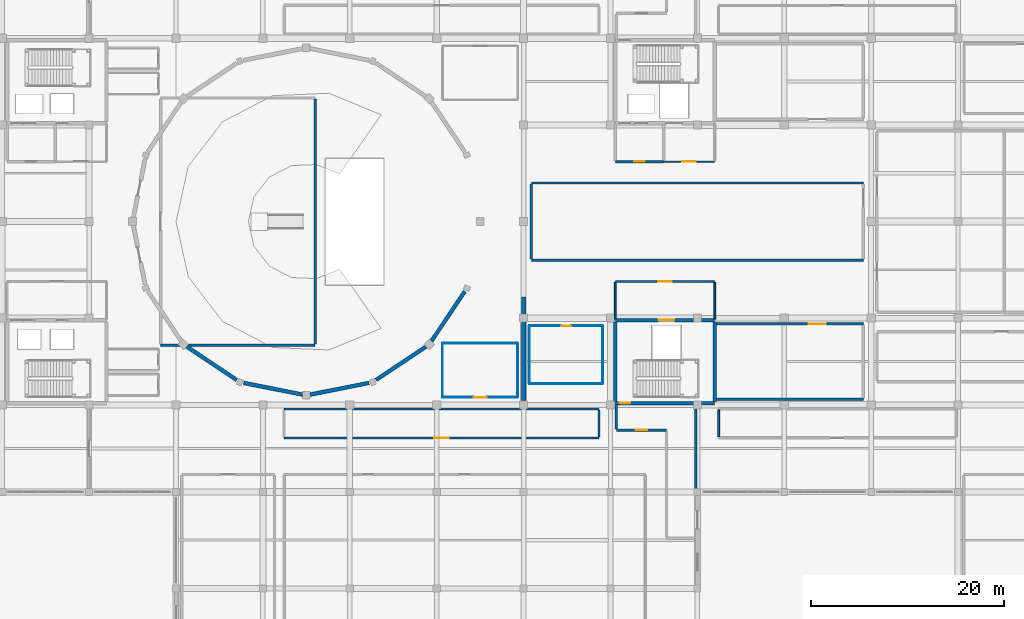
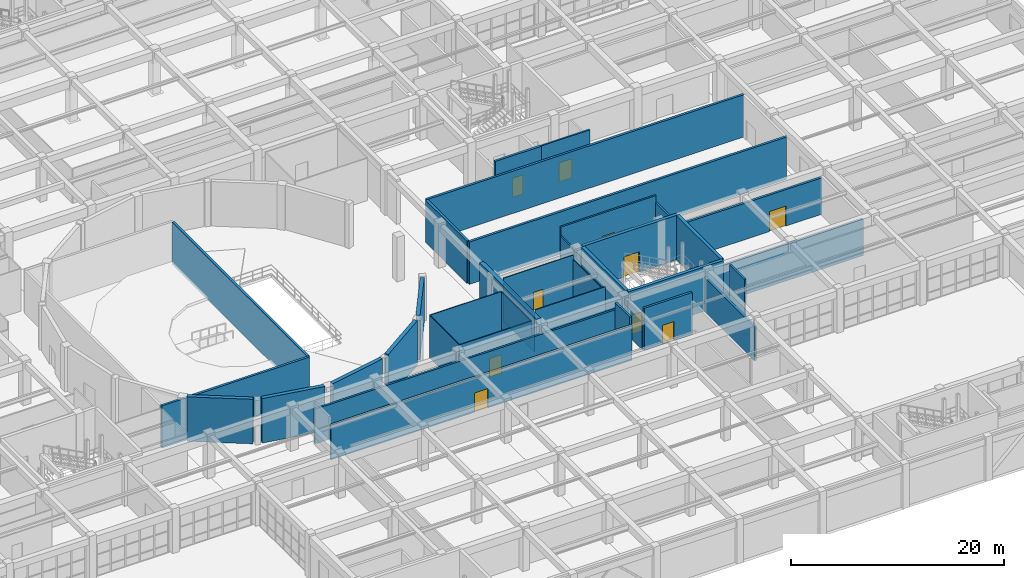
# One storey, part 105 of 128: 37 walls, 10 doors, 10 openings.
"""IFC4 building model written with IfcOpenShell, lengths in metres."""

from ifc_helpers import new_model, si_unit, direction, frame, frame_2d, origin, place, context, subcontext, project, spatial, rectangle, extrude, material, layer, layer_set, type_object, element, fill, save


model = new_model("IFC4")

# Units and contexts
model_context = context("Model", 3, precision=1e-05, world=origin(), true_north=direction((0.0, 1.0)))
body_context = subcontext(model_context, "Body", "Model", "MODEL_VIEW")
ifc_project = project(units=[si_unit("LENGTHUNIT", "METRE"), si_unit("AREAUNIT", "SQUARE_METRE"), si_unit("VOLUMEUNIT", "CUBIC_METRE"), si_unit("PLANEANGLEUNIT", "RADIAN"), si_unit("MASSUNIT", "GRAM", prefix="KILO")], contexts=[model_context])

# Site, building, storey
site_placement = place(None, origin())
site = spatial("IfcSite", under=ifc_project, at=site_placement, CompositionType="ELEMENT")
building_placement = place(site_placement, origin())
building = spatial("IfcBuilding", under=site, at=building_placement, Name="Miravela Opera House", CompositionType="ELEMENT")
storey_placement = place(building_placement, origin())
storey = spatial("IfcBuildingStorey", under=building, at=storey_placement, Name="L00", CompositionType="ELEMENT", Elevation=0.0)

# Wall
ifc_material_1 = material(Name="Acoustic metal-stud gypsum partition")
ifc_layer_1 = layer(ifc_material_1, 0.090087890625)
ifc_layer_set_1 = layer_set([ifc_layer_1])
wall_type_1 = type_object("IfcWallType", Name="ARC-PT-090", PredefinedType="PARTITIONING", material=ifc_layer_set_1)
wall_1_placement = place(storey_placement, frame((99.60009765625, 39.199951171875, 0.0), z_axis=(0.0, 0.0, 1.0), x_axis=(1.0, 0.0, 0.0)))
element("IfcWall", 1, at=wall_1_placement, inside=storey, type_object=wall_type_1, Name="Principal Quick-Change Dressing Suite 1 Partition South", PredefinedType="PARTITIONING", context=body_context, shape_type="SweptSolid", body=[
    extrude(rectangle(XDim=7.599853515625, YDim=0.090087890625, at=frame_2d((3.7998046875, 0.0))), origin(), (0.0, 0.0, 1.0), 4.85009765625),
])

# Wall, opening, door
wall_2_placement = place(storey_placement, frame((99.60009765625, 45.199951171875, 0.0), z_axis=(0.0, 0.0, 1.0), x_axis=(1.0, 0.0, 0.0)))
wall_2 = element("IfcWall", 2, at=wall_2_placement, inside=storey, type_object=wall_type_1, Name="Principal Quick-Change Dressing Suite 1 Partition North", PredefinedType="PARTITIONING", context=body_context, shape_type="SweptSolid", body=[
    extrude(rectangle(XDim=7.599853515625, YDim=0.090087890625, at=frame_2d((3.7998046875, 0.0))), origin(), (0.0, 0.0, 1.0), 4.85009765625),
])
opening_1_placement = place(wall_2_placement, frame((3.280029296875, 0.0, 0.0)))
opening_1 = element("IfcOpeningElement", 3, at=opening_1_placement, cuts=wall_2, Name="Opening ID-16", PredefinedType="OPENING", context=body_context, shape_type="SweptSolid", body=[
    extrude(rectangle(XDim=1.0400390625, YDim=2.080078125, at=frame_2d((0.52001953125, 1.0400390625))), frame((0.0, 0.054931640625, 0.0), z_axis=(0.0, -1.0, 0.0), x_axis=(1.0, 0.0, 0.0)), (0.0, 0.0, 1.0), 0.110107421875),
])
ifc_material_2 = material(Name="Hardwood acoustic timber door leaf", Category="wood")
door_type_1 = type_object("IfcDoorType", Name="ARC-IDR-104X208", OperationType="NOTDEFINED", PredefinedType="DOOR", material=ifc_material_2)
door_1_placement = place(opening_1_placement, frame((1.0400390625, 0.0, 0.0), z_axis=(0.0, 0.0, 1.0), x_axis=(-1.0, 0.0, 0.0)))
door_1 = element("IfcDoor", 4, at=door_1_placement, inside=storey, type_object=door_type_1, Name="Principal Quick-Change Dressing Suite 1 Entry Door IDR-L00-0115", OperationType="SINGLE_SWING_RIGHT", OverallHeight=2.080078125, OverallWidth=1.0400390625, PredefinedType="DOOR", context=body_context, shape_type="SweptSolid", body=[
    extrude(rectangle(XDim=1.0400390625, YDim=2.080078125, at=frame_2d((0.52001953125, 1.0400390625))), frame((0.0, 0.02490234375, 0.0), z_axis=(0.0, -1.0, 0.0), x_axis=(1.0, 0.0, 0.0)), (0.0, 0.0, 1.0), 0.050048828125),
])
fill(opening_1, door_1)

# Walls
for number, where, z_axis, x_axis, name in (
    (5, (99.60009765625, 39.2451171875, 0.0), (0.0, 0.0, 1.0), (0.0, 1.0, 0.0), "Principal Quick-Change Dressing Suite 1 Partition West"),
    (6, (107.199951171875, 39.2451171875, 0.0), (0.0, 0.0, 1.0), (0.0, 1.0, 0.0), "Principal Quick-Change Dressing Suite 1 Partition East"),
):
    element("IfcWall", number, at=place(storey_placement, frame(where, z_axis=z_axis, x_axis=x_axis)), inside=storey, type_object=wall_type_1, Name=name, PredefinedType="PARTITIONING", context=body_context, shape_type="SweptSolid", body=[
        extrude(rectangle(XDim=5.909912109375, YDim=0.090087890625, at=frame_2d((2.955078125, 0.0))), origin(), (0.0, 0.0, 1.0), 4.3701171875),
    ])

# Wall, opening, door
wall_3_placement = place(storey_placement, frame((90.60009765625, 37.800048828125, 0.0), z_axis=(0.0, 0.0, 1.0), x_axis=(1.0, 0.0, 0.0)))
wall_3 = element("IfcWall", 7, at=wall_3_placement, inside=storey, type_object=wall_type_1, Name="Vocal Chamber Rehearsal Room Partition South", PredefinedType="PARTITIONING", context=body_context, shape_type="SweptSolid", body=[
    extrude(rectangle(XDim=7.7998046875, YDim=0.090087890625, at=frame_2d((3.89990234375, 0.0))), origin(), (0.0, 0.0, 1.0), 4.85009765625),
])
opening_2_placement = place(wall_3_placement, frame((3.239990234375, 0.0, 0.0)))
opening_2 = element("IfcOpeningElement", 8, at=opening_2_placement, cuts=wall_3, Name="Opening ID-32", PredefinedType="OPENING", context=body_context, shape_type="SweptSolid", body=[
    extrude(rectangle(XDim=1.320068359375, YDim=2.139892578125, at=frame_2d((0.66015625, 1.06982421875))), frame((0.0, 0.054931640625, 0.0), z_axis=(0.0, -1.0, 0.0), x_axis=(1.0, 0.0, 0.0)), (0.0, 0.0, 1.0), 0.110107421875),
])
door_type_2 = type_object("IfcDoorType", Name="ARC-IDR-132X214", OperationType="NOTDEFINED", PredefinedType="DOOR", material=ifc_material_2)
door_2_placement = place(opening_2_placement, origin())
door_2 = element("IfcDoor", 9, at=door_2_placement, inside=storey, type_object=door_type_2, Name="Vocal Chamber Rehearsal Room Entry Door IDR-L00-0135", OperationType="SINGLE_SWING_RIGHT", OverallHeight=2.139892578125, OverallWidth=1.320068359375, PredefinedType="DOOR", context=body_context, shape_type="SweptSolid", body=[
    extrude(rectangle(XDim=1.320068359375, YDim=2.139892578125, at=frame_2d((0.66015625, 1.06982421875))), frame((0.0, 0.02490234375, 0.0), z_axis=(0.0, -1.0, 0.0), x_axis=(1.0, 0.0, 0.0)), (0.0, 0.0, 1.0), 0.050048828125),
])
fill(opening_2, door_2)

# Walls
wall_4_placement = place(storey_placement, frame((90.60009765625, 43.39990234375, 0.0), z_axis=(0.0, 0.0, 1.0), x_axis=(1.0, 0.0, 0.0)))
element("IfcWall", 10, at=wall_4_placement, inside=storey, type_object=wall_type_1, Name="Vocal Chamber Rehearsal Room Partition North", PredefinedType="PARTITIONING", context=body_context, shape_type="SweptSolid", body=[
    extrude(rectangle(XDim=7.7998046875, YDim=0.090087890625, at=frame_2d((3.89990234375, 0.0))), origin(), (0.0, 0.0, 1.0), 4.85009765625),
])
for number, where, z_axis, x_axis, name in (
    (11, (90.60009765625, 37.844970703125, 0.0), (0.0, 0.0, 1.0), (0.0, 1.0, 0.0), "Vocal Chamber Rehearsal Room Partition West"),
    (12, (98.39990234375, 37.844970703125, 0.0), (0.0, 0.0, 1.0), (0.0, 1.0, 0.0), "Vocal Chamber Rehearsal Room Partition East"),
):
    element("IfcWall", number, at=place(storey_placement, frame(where, z_axis=z_axis, x_axis=x_axis)), inside=storey, type_object=wall_type_1, Name=name, PredefinedType="PARTITIONING", context=body_context, shape_type="SweptSolid", body=[
        extrude(rectangle(XDim=5.510009765625, YDim=0.090087890625, at=frame_2d((2.7548828125, 0.0))), origin(), (0.0, 0.0, 1.0), 4.85009765625),
    ])

# Wall, opening, door
ifc_material_3 = material(Name="Rehearsal isolated acoustic partition")
ifc_layer_2 = layer(ifc_material_3, 0.169921875)
ifc_layer_set_2 = layer_set([ifc_layer_2])
wall_type_2 = type_object("IfcWallType", Name="ARC-PT-170", PredefinedType="PARTITIONING", material=ifc_layer_set_2)
wall_5_placement = place(storey_placement, frame((113.5, 62.199951171875, 0.0), z_axis=(0.0, 0.0, 1.0), x_axis=(1.0, 0.0, 0.0)))
wall_5 = element("IfcWall", 13, at=wall_5_placement, inside=storey, type_object=wall_type_2, Name="Passenger Lift Lobby K3 L00 Partition South", PredefinedType="PARTITIONING", context=body_context, shape_type="SweptSolid", body=[
    extrude(rectangle(XDim=5.300048828125, YDim=0.169921875, at=frame_2d((2.64990234375, 0.0))), origin(), (0.0, 0.0, 1.0), 4.85009765625),
])
opening_3_placement = place(wall_5_placement, frame((1.949951171875, 0.0, 0.0)))
opening_3 = element("IfcOpeningElement", 14, at=opening_3_placement, cuts=wall_5, Name="Opening FD-03", PredefinedType="OPENING", context=body_context, shape_type="SweptSolid", body=[
    extrude(rectangle(XDim=1.39990234375, YDim=2.199951171875, at=frame_2d((0.699951171875, 1.10009765625))), frame((0.0, 0.094970703125, 0.0), z_axis=(0.0, -1.0, 0.0), x_axis=(1.0, 0.0, 0.0)), (0.0, 0.0, 1.0), 0.18994140625),
])
ifc_material_4 = material(Name="Fire-rated lobby/archive double door")
door_type_3 = type_object("IfcDoorType", Name="ARC-FD-1400X2200", OperationType="NOTDEFINED", PredefinedType="DOOR", material=ifc_material_4)
door_3_placement = place(opening_3_placement, frame((1.39990234375, 0.0, 0.0), z_axis=(0.0, 0.0, 1.0), x_axis=(-1.0, 0.0, 0.0)))
door_3 = element("IfcDoor", 15, at=door_3_placement, inside=storey, type_object=door_type_3, Name="Passenger Lift Lobby K3 L00 Entry Door IDR-L00-0090", OperationType="DOUBLE_DOOR_SINGLE_SWING", OverallHeight=2.199951171875, OverallWidth=1.39990234375, PredefinedType="DOOR", context=body_context, shape_type="SweptSolid", body=[
    extrude(rectangle(XDim=1.39990234375, YDim=2.199951171875, at=frame_2d((0.699951171875, 1.10009765625))), frame((0.0, 0.02490234375, 0.0), z_axis=(0.0, -1.0, 0.0), x_axis=(1.0, 0.0, 0.0)), (0.0, 0.0, 1.0), 0.050048828125),
])
fill(opening_3, door_3)

ifc_material_5 = material(Name="Corridor fire-resisting masonry partition", Category="masonry")
ifc_layer_3 = layer(ifc_material_5, 0.18994140625)
ifc_layer_set_3 = layer_set([ifc_layer_3])
wall_type_3 = type_object("IfcWallType", Name="ARC-PT-190", PredefinedType="PARTITIONING", material=ifc_layer_set_3)
wall_6_placement = place(storey_placement, frame((108.5, 49.800048828125, 0.0), z_axis=(0.0, 0.0, 1.0), x_axis=(1.0, 0.0, 0.0)))
wall_6 = element("IfcWall", 16, at=wall_6_placement, inside=storey, type_object=wall_type_3, Name="Passenger Lift Lobby K4 L00 Partition North", PredefinedType="PARTITIONING", context=body_context, shape_type="SweptSolid", body=[
    extrude(rectangle(XDim=10.300048828125, YDim=0.18994140625, at=frame_2d((5.14990234375, 0.0))), origin(), (0.0, 0.0, 1.0), 4.85009765625),
])
opening_4_placement = place(wall_6_placement, frame((4.449951171875, 0.0, 0.0)))
opening_4 = element("IfcOpeningElement", 17, at=opening_4_placement, cuts=wall_6, Name="Opening FD-03", PredefinedType="OPENING", context=body_context, shape_type="SweptSolid", body=[
    extrude(rectangle(XDim=1.39990234375, YDim=2.199951171875, at=frame_2d((0.699951171875, 1.10009765625))), frame((0.0, 0.10498046875, 0.0), z_axis=(0.0, -1.0, 0.0), x_axis=(1.0, 0.0, 0.0)), (0.0, 0.0, 1.0), 0.2099609375),
])
door_4_placement = place(opening_4_placement, origin())
door_4 = element("IfcDoor", 18, at=door_4_placement, inside=storey, type_object=door_type_3, Name="Passenger Lift Lobby K4 L00 Entry Door IDR-L00-0091", OperationType="DOUBLE_DOOR_SINGLE_SWING", OverallHeight=2.199951171875, OverallWidth=1.39990234375, PredefinedType="DOOR", context=body_context, shape_type="SweptSolid", body=[
    extrude(rectangle(XDim=1.39990234375, YDim=2.199951171875, at=frame_2d((0.699951171875, 1.10009765625))), frame((0.0, 0.02490234375, 0.0), z_axis=(0.0, -1.0, 0.0), x_axis=(1.0, 0.0, 0.0)), (0.0, 0.0, 1.0), 0.050048828125),
])
fill(opening_4, door_4)

# Walls
wall_7_placement = place(storey_placement, frame((108.5, 45.89501953125, 0.0), z_axis=(0.0, 0.0, 1.0), x_axis=(0.0, 1.0, 0.0)))
element("IfcWall", 19, at=wall_7_placement, inside=storey, type_object=wall_type_3, Name="Passenger Lift Lobby K4 L00 Partition West", PredefinedType="PARTITIONING", context=body_context, shape_type="SweptSolid", body=[
    extrude(rectangle(XDim=3.81005859375, YDim=0.18994140625, at=frame_2d((1.905029296875, 0.0))), origin(), (0.0, 0.0, 1.0), 3.830078125),
])
wall_8_placement = place(storey_placement, frame((118.800048828125, 45.89501953125, 0.0), z_axis=(0.0, 0.0, 1.0), x_axis=(0.0, 1.0, 0.0)))
element("IfcWall", 20, at=wall_8_placement, inside=storey, type_object=wall_type_3, Name="Passenger Lift Lobby K4 L00 Partition East", PredefinedType="PARTITIONING", context=body_context, shape_type="SweptSolid", body=[
    extrude(rectangle(XDim=3.81005859375, YDim=0.18994140625, at=frame_2d((1.905029296875, 0.0))), origin(), (0.0, 0.0, 1.0), 4.080078125),
])
wall_9_placement = place(storey_placement, frame((119.199951171875, 33.695068359375, 0.0), z_axis=(0.0, 0.0, 1.0), x_axis=(0.0, 1.0, 0.0)))
element("IfcWall", 21, at=wall_9_placement, inside=storey, type_object=wall_type_3, Name="Stage Carpentry Assembly Annex Partition West", PredefinedType="PARTITIONING", context=body_context, shape_type="SweptSolid", body=[
    extrude(rectangle(XDim=2.809814453125, YDim=0.18994140625, at=frame_2d((1.40478515625, 0.0))), origin(), (0.0, 0.0, 1.0), 4.85009765625),
])

# Wall, opening, door
ifc_material_6 = material(Name="Workshop fire-resisting block partition")
ifc_layer_4 = layer(ifc_material_6, 0.2099609375)
ifc_layer_set_4 = layer_set([ifc_layer_4])
wall_type_4 = type_object("IfcWallType", Name="ARC-PT-210", PredefinedType="PARTITIONING", material=ifc_layer_set_4)
wall_10_placement = place(storey_placement, frame((74.199951171875, 33.60009765625, 0.0), z_axis=(0.0, 0.0, 1.0), x_axis=(1.0, 0.0, 0.0)))
wall_10 = element("IfcWall", 22, at=wall_10_placement, inside=storey, type_object=wall_type_4, Name="Stage Lighting Instrument Maintenance Room Partition South", PredefinedType="PARTITIONING", context=body_context, shape_type="SweptSolid", body=[
    extrude(rectangle(XDim=32.60009765625, YDim=0.2099609375, at=frame_2d((16.300048828125, 0.0))), origin(), (0.0, 0.0, 1.0), 3.97998046875),
])
opening_5_placement = place(wall_10_placement, frame((15.570068359375, 0.0, 0.0)))
opening_5 = element("IfcOpeningElement", 23, at=opening_5_placement, cuts=wall_10, Name="Opening ID-39", PredefinedType="OPENING", context=body_context, shape_type="SweptSolid", body=[
    extrude(rectangle(XDim=1.4599609375, YDim=2.219970703125, at=frame_2d((0.72998046875, 1.10986328125))), frame((0.0, 0.114990234375, 0.0), z_axis=(0.0, -1.0, 0.0), x_axis=(1.0, 0.0, 0.0)), (0.0, 0.0, 1.0), 0.22998046875),
])
door_type_4 = type_object("IfcDoorType", Name="ARC-IDR-146X222", OperationType="NOTDEFINED", PredefinedType="DOOR", material=ifc_material_2)
door_5_placement = place(opening_5_placement, frame((1.4599609375, 0.0, 0.0), z_axis=(0.0, 0.0, 1.0), x_axis=(-1.0, 0.0, 0.0)))
door_5 = element("IfcDoor", 24, at=door_5_placement, inside=storey, type_object=door_type_4, Name="Stage Lighting Instrument Maintenance Room Entry Door IDR-L00-0142", OperationType="DOUBLE_DOOR_SINGLE_SWING", OverallHeight=2.219970703125, OverallWidth=1.4599609375, PredefinedType="DOOR", context=body_context, shape_type="SweptSolid", body=[
    extrude(rectangle(XDim=1.4599609375, YDim=2.219970703125, at=frame_2d((0.72998046875, 1.10986328125))), frame((0.0, 0.02490234375, 0.0), z_axis=(0.0, -1.0, 0.0), x_axis=(1.0, 0.0, 0.0)), (0.0, 0.0, 1.0), 0.050048828125),
])
fill(opening_5, door_5)

# Walls
wall_11_placement = place(storey_placement, frame((74.199951171875, 36.60009765625, 0.0), z_axis=(0.0, 0.0, 1.0), x_axis=(1.0, 0.0, 0.0)))
element("IfcWall", 25, at=wall_11_placement, inside=storey, type_object=wall_type_4, Name="Stage Lighting Instrument Maintenance Room Partition North", PredefinedType="PARTITIONING", context=body_context, shape_type="SweptSolid", body=[
    extrude(rectangle(XDim=32.60009765625, YDim=0.2099609375, at=frame_2d((16.300048828125, 0.0))), origin(), (0.0, 0.0, 1.0), 3.97998046875),
])
wall_12_placement = place(storey_placement, frame((106.800048828125, 33.705078125, 0.0), z_axis=(0.0, 0.0, 1.0), x_axis=(0.0, 1.0, 0.0)))
element("IfcWall", 26, at=wall_12_placement, inside=storey, type_object=wall_type_4, Name="Stage Lighting Instrument Maintenance Room Partition East", PredefinedType="PARTITIONING", context=body_context, shape_type="SweptSolid", body=[
    extrude(rectangle(XDim=2.7900390625, YDim=0.2099609375, at=frame_2d((1.39501953125, 0.0))), origin(), (0.0, 0.0, 1.0), 4.85009765625),
])

# Wall, opening, door
ifc_material_7 = material(Name="Firefighting lobby compartment wall")
ifc_layer_5 = layer(ifc_material_7, 0.25)
ifc_layer_set_5 = layer_set([ifc_layer_5])
wall_type_5 = type_object("IfcWallType", Name="ARC-PT-220", PredefinedType="PARTITIONING", material=ifc_layer_set_5)
wall_13_placement = place(storey_placement, frame((108.5, 62.199951171875, 0.0), z_axis=(0.0, 0.0, 1.0), x_axis=(1.0, 0.0, 0.0)))
wall_13 = element("IfcWall", 27, at=wall_13_placement, inside=storey, type_object=wall_type_5, Name="Firefighting Lobby K3 L00 Partition South", PredefinedType="PARTITIONING", context=body_context, shape_type="SweptSolid", body=[
    extrude(rectangle(XDim=5.0, YDim=0.25, at=frame_2d((2.5, 0.0))), origin(), (0.0, 0.0, 1.0), 4.85009765625),
])
opening_6_placement = place(wall_13_placement, frame((1.949951171875, 0.0, 0.0)))
opening_6 = element("IfcOpeningElement", 28, at=opening_6_placement, cuts=wall_13, Name="Opening FD-01", PredefinedType="OPENING", context=body_context, shape_type="SweptSolid", body=[
    extrude(rectangle(XDim=1.10009765625, YDim=2.199951171875, at=frame_2d((0.550048828125, 1.10009765625))), frame((0.0, 0.135009765625, 0.0), z_axis=(0.0, -1.0, 0.0), x_axis=(1.0, 0.0, 0.0)), (0.0, 0.0, 1.0), 0.27001953125),
])
ifc_material_8 = material(Name="Fire-rated steel/hardwood exit stair door", Category="steel")
door_type_5 = type_object("IfcDoorType", Name="ARC-FD-1100X2200", OperationType="NOTDEFINED", PredefinedType="DOOR", material=ifc_material_8)
door_6_placement = place(opening_6_placement, frame((1.10009765625, 0.0, 0.0), z_axis=(0.0, 0.0, 1.0), x_axis=(-1.0, 0.0, 0.0)))
door_6 = element("IfcDoor", 29, at=door_6_placement, inside=storey, type_object=door_type_5, Name="Firefighting Lobby K3 L00 Entry Door IDR-L00-0089", OperationType="SINGLE_SWING_RIGHT", OverallHeight=2.199951171875, OverallWidth=1.10009765625, PredefinedType="DOOR", context=body_context, shape_type="SweptSolid", body=[
    extrude(rectangle(XDim=1.10009765625, YDim=2.199951171875, at=frame_2d((0.550048828125, 1.10009765625))), frame((0.0, 0.02490234375, 0.0), z_axis=(0.0, -1.0, 0.0), x_axis=(1.0, 0.0, 0.0)), (0.0, 0.0, 1.0), 0.050048828125),
])
fill(opening_6, door_6)

# Walls
wall_14_placement = place(storey_placement, frame((61.39990234375, 43.199951171875, 0.0), z_axis=(0.0, 0.0, 1.0), x_axis=(1.0, 0.0, 0.0)))
element("IfcWall", 30, at=wall_14_placement, inside=storey, type_object=wall_type_5, Name="Main Opera Auditorium Stalls Partition South", PredefinedType="PARTITIONING", context=body_context, shape_type="SweptSolid", body=[
    extrude(rectangle(XDim=16.0, YDim=0.25, at=frame_2d((8.0, 0.0))), origin(), (0.0, 0.0, 1.0), 4.85009765625),
])
wall_15_placement = place(storey_placement, frame((77.39990234375, 43.324951171875, 0.0), z_axis=(0.0, 0.0, 1.0), x_axis=(0.0, 1.0, 0.0)))
element("IfcWall", 31, at=wall_15_placement, inside=storey, type_object=wall_type_5, Name="Main Opera Auditorium Stalls Partition East", PredefinedType="PARTITIONING", context=body_context, shape_type="SweptSolid", body=[
    extrude(rectangle(XDim=25.35009765625, YDim=0.25, at=frame_2d((12.675048828125, 0.0))), origin(), (0.0, 0.0, 1.0), 4.85009765625),
])
for number, where, z_axis, x_axis, name in (
    (32, (99.800048828125, 52.0, 0.0), (0.0, 0.0, 1.0), (1.0, 0.0, 0.0), "Main Opera Stage Partition South"),
    (33, (99.800048828125, 60.0, 0.0), (0.0, 0.0, 1.0), (1.0, 0.0, 0.0), "Main Opera Stage Partition North"),
):
    element("IfcWall", number, at=place(storey_placement, frame(where, z_axis=z_axis, x_axis=x_axis)), inside=storey, type_object=wall_type_5, Name=name, PredefinedType="PARTITIONING", context=body_context, shape_type="SweptSolid", body=[
        extrude(rectangle(XDim=34.39990234375, YDim=0.25, at=frame_2d((17.199951171875, 0.0))), origin(), (0.0, 0.0, 1.0), 4.85009765625),
    ])
wall_16_placement = place(storey_placement, frame((99.800048828125, 52.125, 0.0), z_axis=(0.0, 0.0, 1.0), x_axis=(0.0, 1.0, 0.0)))
element("IfcWall", 34, at=wall_16_placement, inside=storey, type_object=wall_type_5, Name="Main Opera Stage Partition West", PredefinedType="PARTITIONING", context=body_context, shape_type="SweptSolid", body=[
    extrude(rectangle(XDim=7.75, YDim=0.25, at=frame_2d((3.875, 0.0))), origin(), (0.0, 0.0, 1.0), 4.85009765625),
])
wall_17_placement = place(storey_placement, frame((118.97509765625, 37.60009765625, 0.0), z_axis=(0.0, 0.0, 1.0), x_axis=(1.0, 0.0, 0.0)))
element("IfcWall", 35, at=wall_17_placement, inside=storey, type_object=wall_type_5, Name="South Side Stage Partition South", PredefinedType="PARTITIONING", context=body_context, shape_type="SweptSolid", body=[
    extrude(rectangle(XDim=15.224853515625, YDim=0.25, at=frame_2d((7.6123046875, 0.0))), origin(), (0.0, 0.0, 1.0), 4.179931640625),
])

# Wall, opening, door
wall_18_placement = place(storey_placement, frame((118.97509765625, 45.39990234375, 0.0), z_axis=(0.0, 0.0, 1.0), x_axis=(1.0, 0.0, 0.0)))
wall_18 = element("IfcWall", 36, at=wall_18_placement, inside=storey, type_object=wall_type_5, Name="South Side Stage Partition North", PredefinedType="PARTITIONING", context=body_context, shape_type="SweptSolid", body=[
    extrude(rectangle(XDim=15.224853515625, YDim=0.25, at=frame_2d((7.6123046875, 0.0))), origin(), (0.0, 0.0, 1.0), 4.179931640625),
])
opening_7_placement = place(wall_18_placement, frame((9.544189453125, 0.0, 0.0)))
opening_7 = element("IfcOpeningElement", 37, at=opening_7_placement, cuts=wall_18, Name="Opening FD-05", PredefinedType="OPENING", context=body_context, shape_type="SweptSolid", body=[
    extrude(rectangle(XDim=1.800048828125, YDim=2.300048828125, at=frame_2d((0.89990234375, 1.14990234375))), frame((0.0, 0.135009765625, 0.0), z_axis=(0.0, -1.0, 0.0), x_axis=(1.0, 0.0, 0.0)), (0.0, 0.0, 1.0), 0.27001953125),
])
ifc_material_9 = material(Name="Heavy acoustic EI 120 stage/auditorium pair")
door_type_6 = type_object("IfcDoorType", Name="ARC-FD-1800X2300", OperationType="NOTDEFINED", PredefinedType="DOOR", material=ifc_material_9)
door_7_placement = place(opening_7_placement, frame((1.800048828125, 0.0, 0.0), z_axis=(0.0, 0.0, 1.0), x_axis=(-1.0, 0.0, 0.0)))
door_7 = element("IfcDoor", 38, at=door_7_placement, inside=storey, type_object=door_type_6, Name="South Side Stage Entry Door IDR-L00-0103", OperationType="DOUBLE_DOOR_SINGLE_SWING", OverallHeight=2.300048828125, OverallWidth=1.800048828125, PredefinedType="DOOR", context=body_context, shape_type="SweptSolid", body=[
    extrude(rectangle(XDim=1.800048828125, YDim=2.300048828125, at=frame_2d((0.89990234375, 1.14990234375))), frame((0.0, 0.02490234375, 0.0), z_axis=(0.0, -1.0, 0.0), x_axis=(1.0, 0.0, 0.0)), (0.0, 0.0, 1.0), 0.050048828125),
])
fill(opening_7, door_7)

wall_19_placement = place(storey_placement, frame((108.60009765625, 34.39990234375, 0.0), z_axis=(0.0, 0.0, 1.0), x_axis=(1.0, 0.0, 0.0)))
wall_19 = element("IfcWall", 39, at=wall_19_placement, inside=storey, type_object=wall_type_5, Name="Protected Exit Passageway ST-04 Partition Seg1", PredefinedType="PARTITIONING", context=body_context, shape_type="SweptSolid", body=[
    extrude(rectangle(XDim=5.199951171875, YDim=0.25, at=frame_2d((2.60009765625, 0.0))), origin(), (0.0, 0.0, 1.0), 4.85009765625),
])
opening_8_placement = place(wall_19_placement, frame((2.0, 0.0, 0.0)))
opening_8 = element("IfcOpeningElement", 40, at=opening_8_placement, cuts=wall_19, Name="Opening FD-02", PredefinedType="OPENING", context=body_context, shape_type="SweptSolid", body=[
    extrude(rectangle(XDim=1.199951171875, YDim=2.199951171875, at=frame_2d((0.60009765625, 1.10009765625))), frame((0.0, 0.135009765625, 0.0), z_axis=(0.0, -1.0, 0.0), x_axis=(1.0, 0.0, 0.0)), (0.0, 0.0, 1.0), 0.27001953125),
])
ifc_material_10 = material(Name="Fire-rated gallery/plant exit door")
door_type_7 = type_object("IfcDoorType", Name="ARC-FD-1200X2200", OperationType="NOTDEFINED", PredefinedType="DOOR", material=ifc_material_10)
door_8_placement = place(opening_8_placement, frame((1.199951171875, 0.0, 0.0), z_axis=(0.0, 0.0, 1.0), x_axis=(-1.0, 0.0, 0.0)))
door_8 = element("IfcDoor", 41, at=door_8_placement, inside=storey, type_object=door_type_7, Name="Protected Exit Passageway ST-04 Concourse Fire Door IDR-L00-0145", OperationType="SINGLE_SWING_LEFT", OverallHeight=2.199951171875, OverallWidth=1.199951171875, PredefinedType="DOOR", context=body_context, shape_type="SweptSolid", body=[
    extrude(rectangle(XDim=1.199951171875, YDim=2.199951171875, at=frame_2d((0.60009765625, 1.10009765625))), frame((0.0, 0.02490234375, 0.0), z_axis=(0.0, -1.0, 0.0), x_axis=(1.0, 0.0, 0.0)), (0.0, 0.0, 1.0), 0.050048828125),
])
fill(opening_8, door_8)

# Walls
wall_20_placement = place(storey_placement, frame((116.820068359375, 27.64990234375, 0.0), z_axis=(0.0, 0.0, 1.0), x_axis=(0.0, 1.0, 0.0)))
element("IfcWall", 42, at=wall_20_placement, inside=storey, type_object=wall_type_5, Name="Protected Exit Passageway ST-04 Partition Seg4", PredefinedType="PARTITIONING", context=body_context, shape_type="SweptSolid", body=[
    extrude(rectangle(XDim=9.425048828125, YDim=0.25, at=frame_2d((4.71240234375, 0.0))), origin(), (0.0, 0.0, 1.0), 3.929931640625),
])
wall_21_placement = place(storey_placement, frame((108.60009765625, 37.074951171875, 0.0), z_axis=(0.0, 0.0, 1.0), x_axis=(0.0, -1.0, 0.0)))
element("IfcWall", 43, at=wall_21_placement, inside=storey, type_object=wall_type_5, Name="Protected Exit Passageway ST-04 Partition Seg6", PredefinedType="PARTITIONING", context=body_context, shape_type="SweptSolid", body=[
    extrude(rectangle(XDim=2.550048828125, YDim=0.25, at=frame_2d((1.27490234375, 0.0))), origin(), (0.0, 0.0, 1.0), 4.080078125),
])

# Wall, opening, door
ifc_material_11 = material(Name="Concrete C40/50", Category="concrete")
ifc_layer_6 = layer(ifc_material_11, 0.35009765625)
ifc_layer_set_6 = layer_set([ifc_layer_6])
wall_type_6 = type_object("IfcWallType", Name="STR-WALL-CORE-350", PredefinedType="SHEAR", material=ifc_layer_set_6)
wall_22_placement = place(storey_placement, frame((108.5, 37.199951171875, 0.0), z_axis=(0.0, 0.0, 1.0), x_axis=(1.0, 0.0, 0.0)))
wall_22 = element("IfcWall", 44, at=wall_22_placement, inside=storey, type_object=wall_type_6, Name="Core K4 Shear Wall South (L00)", PredefinedType="SHEAR", context=body_context, shape_type="SweptSolid", body=[
    extrude(rectangle(XDim=10.300048828125, YDim=0.35009765625, at=frame_2d((5.14990234375, 0.0))), origin(), (0.0, 0.0, 1.0), 5.10009765625),
])
opening_9_placement = place(wall_22_placement, frame((0.449951171875, 0.0, 0.0)))
opening_9 = element("IfcOpeningElement", 45, at=opening_9_placement, cuts=wall_22, Name="Opening FD-01", PredefinedType="OPENING", context=body_context, shape_type="SweptSolid", body=[
    extrude(rectangle(XDim=1.10009765625, YDim=2.199951171875, at=frame_2d((0.550048828125, 1.10009765625))), frame((0.0, 0.18505859375, 0.0), z_axis=(0.0, -1.0, 0.0), x_axis=(1.0, 0.0, 0.0)), (0.0, 0.0, 1.0), 0.3701171875),
])
door_9_placement = place(opening_9_placement, origin())
door_9 = element("IfcDoor", 46, at=door_9_placement, inside=storey, type_object=door_type_5, Name="Exit Stair ST-04 Discharge Door (L00) IDR-L00-0024", OperationType="SINGLE_SWING_RIGHT", OverallHeight=2.199951171875, OverallWidth=1.10009765625, PredefinedType="DOOR", context=body_context, shape_type="SweptSolid", body=[
    extrude(rectangle(XDim=1.10009765625, YDim=2.199951171875, at=frame_2d((0.550048828125, 1.10009765625))), frame((0.0, 0.02490234375, 0.0), z_axis=(0.0, -1.0, 0.0), x_axis=(1.0, 0.0, 0.0)), (0.0, 0.0, 1.0), 0.050048828125),
])
fill(opening_9, door_9)

wall_23_placement = place(storey_placement, frame((108.5, 45.800048828125, 0.0), z_axis=(0.0, 0.0, 1.0), x_axis=(1.0, 0.0, 0.0)))
wall_23 = element("IfcWall", 47, at=wall_23_placement, inside=storey, type_object=wall_type_6, Name="Core K4 Shear Wall North (L00)", PredefinedType="SHEAR", context=body_context, shape_type="SweptSolid", body=[
    extrude(rectangle(XDim=10.300048828125, YDim=0.35009765625, at=frame_2d((5.14990234375, 0.0))), origin(), (0.0, 0.0, 1.0), 5.10009765625),
])
opening_10_placement = place(wall_23_placement, frame((4.47509765625, 0.0, 0.0)))
opening_10 = element("IfcOpeningElement", 48, at=opening_10_placement, cuts=wall_23, Name="Opening LD-03", PredefinedType="OPENING", context=body_context, shape_type="SweptSolid", body=[
    extrude(rectangle(XDim=1.64990234375, YDim=2.340087890625, at=frame_2d((0.824951171875, 1.169921875))), frame((0.0, 0.18505859375, 0.0), z_axis=(0.0, -1.0, 0.0), x_axis=(1.0, 0.0, 0.0)), (0.0, 0.0, 1.0), 0.3701171875),
])
ifc_material_12 = material(Name="Brushed stainless and bronze fire-rated lift landing door")
door_type_8 = type_object("IfcDoorType", Name="ARC-LD-FRT-1650X2350", OperationType="SLIDING_TO_LEFT", PredefinedType="DOOR", material=ifc_material_12)
door_10_placement = place(opening_10_placement, origin())
door_10 = element("IfcDoor", 49, at=door_10_placement, inside=storey, type_object=door_type_8, Name="Lift Landing Door FL-02 (L00)", OperationType="SLIDING_TO_LEFT", OverallHeight=2.340087890625, OverallWidth=1.64990234375, PredefinedType="DOOR", context=body_context, shape_type="SweptSolid", body=[
    extrude(rectangle(XDim=1.64990234375, YDim=2.340087890625, at=frame_2d((0.824951171875, 1.169921875))), frame((0.0, 0.02490234375, 0.0), z_axis=(0.0, -1.0, 0.0), x_axis=(1.0, 0.0, 0.0)), (0.0, 0.0, 1.0), 0.050048828125),
])
fill(opening_10, door_10)

# Walls
for number, where, z_axis, x_axis, name in (
    (50, (108.5, 37.375, 0.0), (0.0, 0.0, 1.0), (0.0, 1.0, 0.0), "Core K4 Shear Wall West (L00)"),
    (51, (118.800048828125, 37.375, 0.0), (0.0, 0.0, 1.0), (0.0, 1.0, 0.0), "Core K4 Shear Wall East (L00)"),
):
    element("IfcWall", number, at=place(storey_placement, frame(where, z_axis=z_axis, x_axis=x_axis)), inside=storey, type_object=wall_type_6, Name=name, PredefinedType="SHEAR", context=body_context, shape_type="SweptSolid", body=[
        extrude(rectangle(XDim=8.25, YDim=0.35009765625, at=frame_2d((4.125, 0.0))), origin(), (0.0, 0.0, 1.0), 5.10009765625),
    ])
ifc_layer_7 = layer(ifc_material_11, 0.39990234375)
ifc_layer_set_7 = layer_set([ifc_layer_7])
wall_type_7 = type_object("IfcWallType", Name="STR-WALL-DRUM-400", PredefinedType="SHEAR", material=ifc_layer_set_7)
wall_24_placement = place(storey_placement, frame((64.104736328125, 43.0498046875, 0.0), z_axis=(0.0, 0.0, 1.0), x_axis=(0.831458341015, -0.555587101324, 0.0)))
element("IfcWall", 52, at=wall_24_placement, inside=storey, type_object=wall_type_7, Name="Auditorium Drum Shear Wall L00 Seg 11", PredefinedType="SHEAR", context=body_context, shape_type="SweptSolid", body=[
    extrude(rectangle(XDim=6.22314453125, YDim=0.39990234375, at=frame_2d((3.111572265625, 0.0))), origin(), (0.0, 0.0, 1.0), 5.10009765625),
])
for number, where, z_axis, x_axis, name in (
    (53, (70.00390625, 39.292236328125, 0.0), (0.0, 0.0, 1.0), (0.980777834218, -0.195127752786, 0.0), "Auditorium Drum Shear Wall L00 Seg 12"),
    (54, (76.892333984375, 38.077880859375, 0.0), (0.0, 0.0, 1.0), (0.980777834218, 0.195127752786, 0.0), "Auditorium Drum Shear Wall L00 Seg 13"),
):
    element("IfcWall", number, at=place(storey_placement, frame(where, z_axis=z_axis, x_axis=x_axis)), inside=storey, type_object=wall_type_7, Name=name, PredefinedType="SHEAR", context=body_context, shape_type="SweptSolid", body=[
        extrude(rectangle(XDim=6.223388671875, YDim=0.39990234375, at=frame_2d((3.11181640625, 0.0))), origin(), (0.0, 0.0, 1.0), 5.10009765625),
    ])
for number, where, z_axis, x_axis, name in (
    (55, (83.720947265625, 39.59228515625, 0.0), (0.0, 0.0, 1.0), (0.831458341015, 0.555587101324, 0.0), "Auditorium Drum Shear Wall L00 Seg 14"),
    (56, (89.4501953125, 43.604736328125, 0.0), (0.0, 0.0, 1.0), (0.555587101324, 0.831458341015, 0.0), "Auditorium Drum Shear Wall L00 Seg 15"),
):
    element("IfcWall", number, at=place(storey_placement, frame(where, z_axis=z_axis, x_axis=x_axis)), inside=storey, type_object=wall_type_7, Name=name, PredefinedType="SHEAR", context=body_context, shape_type="SweptSolid", body=[
        extrude(rectangle(XDim=6.22314453125, YDim=0.39990234375, at=frame_2d((3.111572265625, 0.0))), origin(), (0.0, 0.0, 1.0), 5.10009765625),
    ])
ifc_layer_8 = layer(ifc_material_11, 0.449951171875)
ifc_layer_set_8 = layer_set([ifc_layer_8])
wall_type_8 = type_object("IfcWallType", Name="STR-WALL-PROSC-450", PredefinedType="SHEAR", material=ifc_layer_set_8)
wall_25_placement = place(storey_placement, frame((99.0, 37.449951171875, 0.0), z_axis=(0.0, 0.0, 1.0), x_axis=(0.0, 1.0, 0.0)))
element("IfcWall", 57, at=wall_25_placement, inside=storey, type_object=wall_type_8, Name="Proscenium Shear Wall South (L00)", PredefinedType="SHEAR", context=body_context, shape_type="SweptSolid", body=[
    extrude(rectangle(XDim=10.75, YDim=0.449951171875, at=frame_2d((5.375, 0.0))), origin(), (0.0, 0.0, 1.0), 5.10009765625),
])

save(model, "model.ifc")
